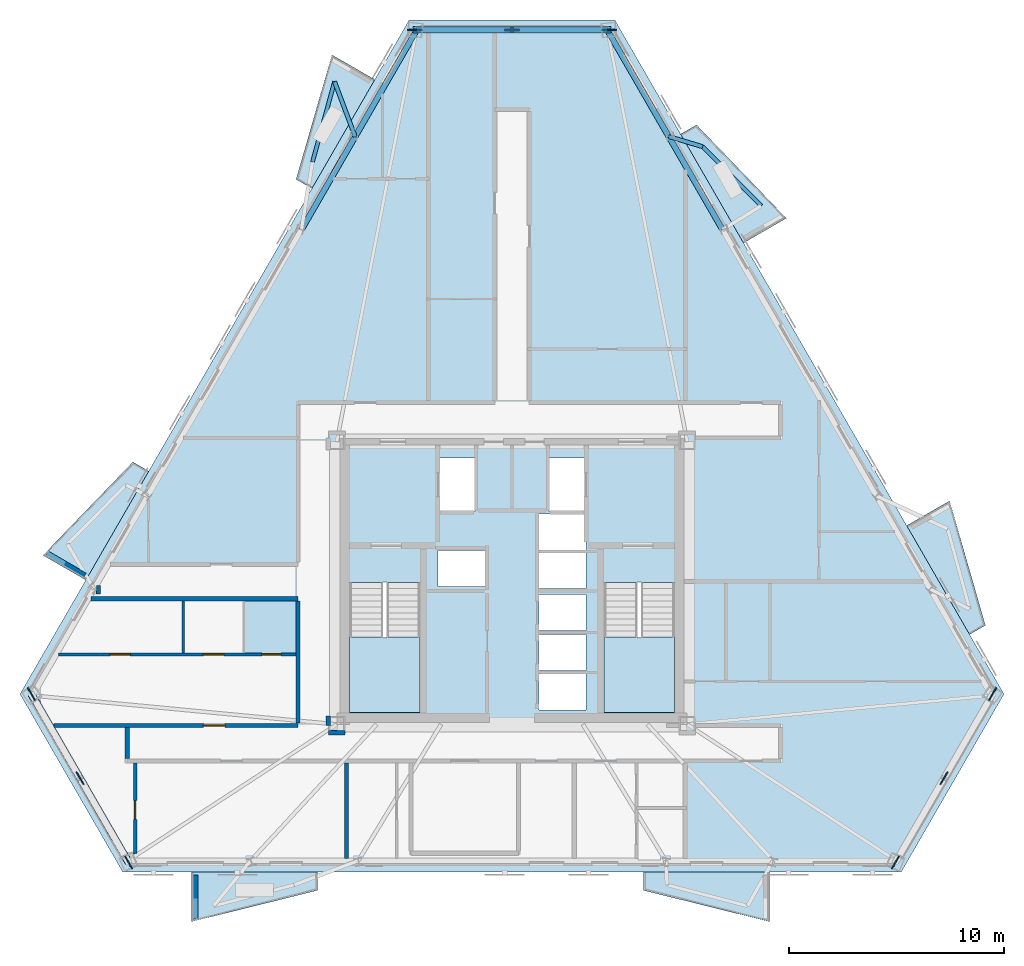
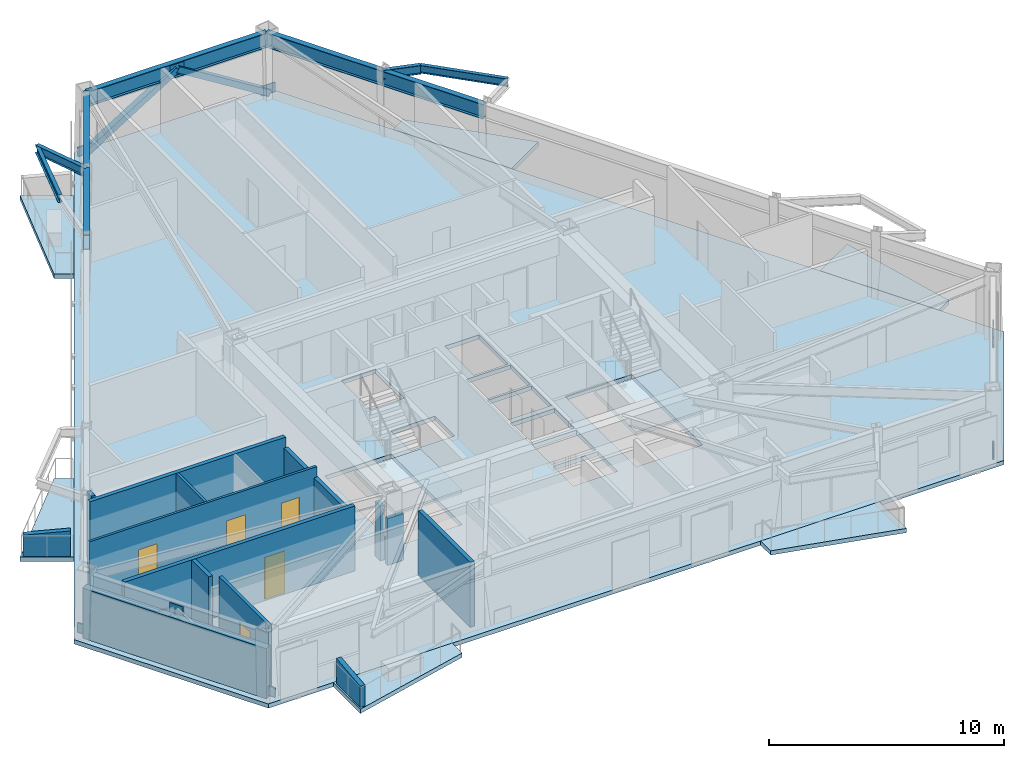
# One storey, part 2 of 9: 14 walls, 9 beams, 9 plates, 9 slabs, 5 doors, 2 members, 5 openings, 2 elements without a shape of their own.
"""IFC4 building model written with IfcOpenShell, lengths in metres."""

from ifc_helpers import new_model, si_unit, direction, frame, frame_2d, origin, origin_2d, place, context, subcontext, project, spatial, polyline, rectangle, hollow_rectangle, i_section, outline, extrude, material, layer, layer_set, material_profile, profile_set, type_object, element, fill, aggregate, save


model = new_model("IFC4")

# Units and contexts
model_context = context("Model", 3, precision=1e-05, world=origin(), true_north=direction((0.0, 1.0)))
body_context = subcontext(model_context, "Body", "Model", "MODEL_VIEW")
ifc_project = project(units=[si_unit("LENGTHUNIT", "METRE"), si_unit("AREAUNIT", "SQUARE_METRE"), si_unit("VOLUMEUNIT", "CUBIC_METRE"), si_unit("PLANEANGLEUNIT", "RADIAN"), si_unit("MASSUNIT", "GRAM", prefix="KILO")], contexts=[model_context])

# Site, building, storey
site_placement = place(None, origin())
site = spatial("IfcSite", under=ifc_project, at=site_placement, CompositionType="ELEMENT")
building_placement = place(site_placement, origin())
building = spatial("IfcBuilding", under=site, at=building_placement, Name="Oramaril Tower", CompositionType="ELEMENT")
storey_placement = place(building_placement, frame((0.0, 0.0, 160.199951171875)))
storey = spatial("IfcBuildingStorey", under=building, at=storey_placement, Name="L42", CompositionType="ELEMENT", Elevation=160.199951171875)

# Beams
ifc_material_1 = material(Name="Steel ASTM A572 Gr 50", Category="steel")
ifc_material_profile_1 = material_profile(ifc_material_1, i_section(OverallWidth=0.19091796875, OverallDepth=0.45703125, WebThickness=0.009033203125, FlangeThickness=0.014404296875, at=origin_2d()), Name="W18X50")
ifc_profile_set_1 = profile_set([ifc_material_profile_1], Name="Steel ASTM A572 Gr 50")
beam_type_1 = type_object("IfcBeamType", Name="BT-BB1", PredefinedType="BEAM", material=ifc_profile_set_1)
beam_1_placement = place(storey_placement, frame((44.794189453125, 38.342041015625, 3.151611328125), z_axis=(0.958128393165, -0.286338928913, 0.0), x_axis=(0.286338928913, 0.958128393165, 0.0)))
element("IfcBeam", 1, at=beam_1_placement, inside=storey, type_object=beam_type_1, Name="L42 Balcony Column-Framed Cantilever 04.2", PredefinedType="BEAM", context=body_context, shape_type="SweptSolid", body=[
    extrude(i_section(OverallWidth=0.19091796875, OverallDepth=0.45703125, WebThickness=0.009033203125, FlangeThickness=0.014404296875, at=origin_2d()), origin(), (0.0, 0.0, 1.0), 1.64306640625),
])
beam_2_placement = place(storey_placement, frame((30.205810546875, 38.342041015625, 3.151611328125), z_axis=(-0.352065017584, 0.935975546365, 0.0), x_axis=(-0.935975546365, -0.352065017584, 0.0)))
element("IfcBeam", 2, at=beam_2_placement, inside=storey, type_object=beam_type_1, Name="L42 Balcony Column-Framed Cantilever 05.1", PredefinedType="BEAM", context=body_context, shape_type="SweptSolid", body=[
    extrude(i_section(OverallWidth=0.19091796875, OverallDepth=0.45703125, WebThickness=0.009033203125, FlangeThickness=0.014404296875, at=origin_2d()), origin(), (0.0, 0.0, 1.0), 2.727294921875),
])
ifc_material_2 = material(Name="Steel ASTM A572 Gr 50", Category="steel")
ifc_material_profile_2 = material_profile(ifc_material_2, i_section(OverallWidth=0.177978515625, OverallDepth=0.404052734375, WebThickness=0.007568359375, FlangeThickness=0.010986328125, at=origin_2d()), Name="W16X36")
ifc_profile_set_2 = profile_set([ifc_material_profile_2], Name="Steel ASTM A572 Gr 50")
beam_type_2 = type_object("IfcBeamType", Name="BT-SB1", PredefinedType="BEAM", material=ifc_profile_set_2)
for number, where, z_axis, x_axis, name in (
    (3, (49.089111328125, 35.119140625, 3.177978515625), (-0.702994511648, 0.71119527318, 0.0), (-0.71119527318, -0.702994511648, 0.0), "L42 Balcony Edge Tie Beam 04"),
    (4, (29.24560546875, 40.894775390625, 3.177978515625), (-0.264440915482, -0.964401888332, 0.0), (0.964401888332, -0.264440915482, 0.0), "L42 Balcony Edge Tie Beam 05"),
):
    element("IfcBeam", number, at=place(storey_placement, frame(where, z_axis=z_axis, x_axis=x_axis)), inside=storey, type_object=beam_type_2, Name=name, PredefinedType="BEAM", context=body_context, shape_type="SweptSolid", body=[
        extrude(i_section(OverallWidth=0.177978515625, OverallDepth=0.404052734375, WebThickness=0.007568359375, FlangeThickness=0.010986328125, at=origin_2d()), origin(), (0.0, 0.0, 1.0), 3.8701171875),
    ])
ifc_material_3 = material(Name="Steel ASTM A572 Gr 50", Category="steel")
ifc_material_profile_3 = material_profile(ifc_material_3, i_section(OverallWidth=0.26708984375, OverallDepth=0.77001953125, WebThickness=0.015625, FlangeThickness=0.025390625, at=origin_2d()), Name="W30X132")
ifc_profile_set_3 = profile_set([ifc_material_profile_3], Name="Steel ASTM A572 Gr 50")
beam_type_3 = type_object("IfcBeamType", Name="BT-SP3", PredefinedType="SPANDREL", material=ifc_profile_set_3)
beam_3_placement = place(storey_placement, frame((47.2958984375, 34.009033203125, 2.9951171875), z_axis=(-0.500006859004, 0.866021443701, 0.0), x_axis=(-0.866021443701, -0.500006859004, 0.0)))
element("IfcBeam", 5, at=beam_3_placement, inside=storey, type_object=beam_type_3, Name="L42 Perimeter Spandrel 11", PredefinedType="SPANDREL", context=body_context, shape_type="SweptSolid", body=[
    extrude(i_section(OverallWidth=0.26708984375, OverallDepth=0.77001953125, WebThickness=0.015625, FlangeThickness=0.025390625, at=origin_2d()), origin(), (0.0, 0.0, 1.0), 5.00341796875),
])
beam_4_placement = place(storey_placement, frame((44.794189453125, 38.342041015625, 2.9951171875), z_axis=(-0.499987334491, 0.866032716096, 0.0), x_axis=(-0.866032716096, -0.499987334491, 0.0)))
element("IfcBeam", 6, at=beam_4_placement, inside=storey, type_object=beam_type_3, Name="L42 Perimeter Spandrel 12", PredefinedType="SPANDREL", context=body_context, shape_type="SweptSolid", body=[
    extrude(i_section(OverallWidth=0.26708984375, OverallDepth=0.77001953125, WebThickness=0.015625, FlangeThickness=0.025390625, at=origin_2d()), origin(), (0.0, 0.0, 1.0), 5.718017578125),
])
beam_5_placement = place(storey_placement, frame((41.935302734375, 43.2939453125, 2.9951171875), z_axis=(-1.0, 0.0, 0.0), x_axis=(0.0, -1.0, 0.0)))
element("IfcBeam", 7, at=beam_5_placement, inside=storey, type_object=beam_type_3, Name="L42 Perimeter Spandrel 13", PredefinedType="SPANDREL", context=body_context, shape_type="SweptSolid", body=[
    extrude(i_section(OverallWidth=0.26708984375, OverallDepth=0.77001953125, WebThickness=0.015625, FlangeThickness=0.025390625, at=origin_2d()), origin(), (0.0, 0.0, 1.0), 8.87060546875),
])
beam_6_placement = place(storey_placement, frame((33.064697265625, 43.2939453125, 2.9951171875), z_axis=(-0.499987334491, -0.866032716096, 0.0), x_axis=(0.866032716096, -0.499987334491, 0.0)))
element("IfcBeam", 8, at=beam_6_placement, inside=storey, type_object=beam_type_3, Name="L42 Perimeter Spandrel 14", PredefinedType="SPANDREL", context=body_context, shape_type="SweptSolid", body=[
    extrude(i_section(OverallWidth=0.26708984375, OverallDepth=0.77001953125, WebThickness=0.015625, FlangeThickness=0.025390625, at=origin_2d()), origin(), (0.0, 0.0, 1.0), 5.718017578125),
])
beam_7_placement = place(storey_placement, frame((30.205810546875, 38.342041015625, 2.9951171875), z_axis=(-0.500006859004, -0.866021443701, 0.0), x_axis=(0.866021443701, -0.500006859004, 0.0)))
element("IfcBeam", 9, at=beam_7_placement, inside=storey, type_object=beam_type_3, Name="L42 Perimeter Spandrel 15", PredefinedType="SPANDREL", context=body_context, shape_type="SweptSolid", body=[
    extrude(i_section(OverallWidth=0.26708984375, OverallDepth=0.77001953125, WebThickness=0.015625, FlangeThickness=0.025390625, at=origin_2d()), origin(), (0.0, 0.0, 1.0), 5.00341796875),
])

# Members
ifc_material_4 = material(Name="Steel ASTM A572 Gr 50", Category="steel")
ifc_material_profile_4 = material_profile(ifc_material_4, hollow_rectangle(XDim=0.300048828125, YDim=0.300048828125, WallThickness=0.01611328125, at=origin_2d()), Name="HSS300X300X16")
ifc_profile_set_4 = profile_set([ifc_material_profile_4], Name="Steel ASTM A572 Gr 50")
member_type = type_object("IfcMemberType", Name="MT-KB2", PredefinedType="BRACE", material=ifc_profile_set_4)
for number, where, z_axis, x_axis, name in (
    (10, (42.016845703125, 43.303466796875, 0.179931640625), (-0.84865993713, 0.0, 0.528938853848), (0.0, -1.0, 0.0), "L42 Perimeter Chevron Brace KB-3A"),
    (11, (32.983154296875, 43.303466796875, 0.179931640625), (0.84865993713, 0.0, 0.528938853848), (0.0, 1.0, 0.0), "L42 Perimeter Chevron Brace KB-3B"),
):
    element("IfcMember", number, at=place(storey_placement, frame(where, z_axis=z_axis, x_axis=x_axis)), inside=storey, type_object=member_type, Name=name, PredefinedType="BRACE", context=body_context, shape_type="SweptSolid", body=[
        extrude(hollow_rectangle(XDim=0.300048828125, YDim=0.300048828125, WallThickness=0.01611328125, at=origin_2d()), origin(), (0.0, 0.0, 1.0), 5.322265625),
    ])

# Plates
ifc_material_5 = material(Name="Steel ASTM A572 Gr 50", Category="steel")
ifc_layer_1 = layer(ifc_material_5, 0.06005859375)
ifc_layer_set_1 = layer_set([ifc_layer_1], Name="PLT-G60")
plate_type = type_object("IfcPlateType", Name="PLT-G60", PredefinedType="USERDEFINED", material=ifc_layer_set_1)
for number, where, z_axis, x_axis, name in (
    (12, (17.4052734375, 8.498291015625, 2.755126953125), (0.0, 0.0, 1.0), (0.500001511499, -0.866024531118, 0.0), "L42 Chevron Brace Gusset Plate BN-1"),
    (13, (15.14697265625, 12.409912109375, 0.10009765625), (0.0, 0.0, 1.0), (0.500001511499, -0.866024531118, 0.0), "L42 Chevron Brace Gusset Plate BN-1"),
    (14, (19.663818359375, 4.586669921875, 0.10009765625), (0.0, 0.0, 1.0), (0.500001511499, -0.866024531118, 0.0), "L42 Chevron Brace Gusset Plate BN-1"),
    (15, (57.5947265625, 8.498291015625, 2.755126953125), (0.0, 0.0, 1.0), (0.500001511499, 0.866024531118, 0.0), "L42 Chevron Brace Gusset Plate BN-1"),
    (16, (55.336181640625, 4.586669921875, 0.10009765625), (0.0, 0.0, 1.0), (0.500001511499, 0.866024531118, 0.0), "L42 Chevron Brace Gusset Plate BN-1"),
    (17, (59.85302734375, 12.409912109375, 0.10009765625), (0.0, 0.0, 1.0), (0.500001511499, 0.866024531118, 0.0), "L42 Chevron Brace Gusset Plate BN-1"),
    (18, (37.5, 43.303466796875, 2.755126953125), (0.0, 0.0, 1.0), (-1.0, 0.0, 0.0), "L42 Chevron Brace Gusset Plate BN-1"),
    (19, (42.016845703125, 43.303466796875, 0.10009765625), (0.0, 0.0, 1.0), (-1.0, 0.0, 0.0), "L42 Chevron Brace Gusset Plate BN-1"),
    (20, (32.983154296875, 43.303466796875, 0.10009765625), (0.0, 0.0, 1.0), (-1.0, 0.0, 0.0), "L42 Chevron Brace Gusset Plate BN-1"),
):
    element("IfcPlate", number, at=place(storey_placement, frame(where, z_axis=z_axis, x_axis=x_axis)), inside=storey, type_object=plate_type, Name=name, ObjectType="GUSSET", PredefinedType="USERDEFINED", context=body_context, shape_type="SweptSolid", body=[
        extrude(rectangle(XDim=0.679931640625, YDim=0.06005859375, at=origin_2d()), origin(), (0.0, 0.0, 1.0), 0.47998046875),
    ])

# Slabs
ifc_material_6 = material(Name="Concrete C40/50", Category="concrete")
ifc_layer_2 = layer(ifc_material_6, 0.199951171875)
ifc_layer_set_2 = layer_set([ifc_layer_2], Name="SLT-BAL20")
slab_type_1 = type_object("IfcSlabType", Name="SLT-BAL20", PredefinedType="FLOOR", material=ifc_layer_set_2)
slab_1_placement = place(storey_placement, frame((0.0, 0.0, -0.219970703125)))
element("IfcSlab", 21, at=slab_1_placement, inside=storey, type_object=slab_type_1, Name="L42 Cantilevered Balcony Slab L42-BAL-S2", PredefinedType="FLOOR", context=body_context, shape_type="SweptSolid", body=[
    extrude(outline(polyline([(43.626953125, 4.128662109375), (49.476806640625, 4.128662109375), (49.476806640625, 1.82666015625), (43.626953125, 3.276611328125), (43.626953125, 4.128662109375)])), origin(), (0.0, 0.0, 1.0), 0.219970703125),
])
slab_2_placement = place(storey_placement, frame((0.0, 0.0, -0.219970703125)))
element("IfcSlab", 22, at=slab_2_placement, inside=storey, type_object=slab_type_1, Name="L42 Cantilevered Balcony Slab L42-BAL-NE1", PredefinedType="FLOOR", context=body_context, shape_type="SweptSolid", body=[
    extrude(outline(polyline([(58.78271484375, 15.180419921875), (55.857666015625, 20.24658203125), (57.851318359375, 21.3974609375), (59.5205078125, 15.606201171875), (58.78271484375, 15.180419921875)])), origin(), (0.0, 0.0, 1.0), 0.219970703125),
])
slab_3_placement = place(storey_placement, frame((0.0, 0.0, -0.219970703125)))
element("IfcSlab", 23, at=slab_3_placement, inside=storey, type_object=slab_type_1, Name="L42 Cantilevered Balcony Slab L42-BAL-NW2", PredefinedType="FLOOR", context=body_context, shape_type="SweptSolid", body=[
    extrude(outline(polyline([(20.60498046875, 22.77978515625), (17.679931640625, 17.71337890625), (15.686279296875, 18.864501953125), (19.8671875, 23.205810546875), (20.60498046875, 22.77978515625)])), origin(), (0.0, 0.0, 1.0), 0.219970703125),
])
ifc_material_7 = material(Name="Concrete C50/60", Category="concrete")
ifc_layer_3 = layer(ifc_material_7, 0.219970703125)
ifc_layer_set_3 = layer_set([ifc_layer_3], Name="SLT-FLR22")
slab_type_2 = type_object("IfcSlabType", Name="SLT-FLR22", PredefinedType="FLOOR", material=ifc_layer_set_3)
slab_4_placement = place(storey_placement, frame((0.0, 0.0, -0.219970703125)))
element("IfcSlab", 24, at=slab_4_placement, inside=storey, type_object=slab_type_2, Name="L42 Structural Floor Slab", PredefinedType="FLOOR", context=body_context, shape_type="SweptSolid", body=[
    extrude(outline(polyline([(14.61572265625, 12.409912109375), (19.398193359375, 4.126708984375), (55.601806640625, 4.126708984375), (60.38427734375, 12.409912109375), (42.282470703125, 43.763427734375), (32.717529296875, 43.763427734375), (14.61572265625, 12.409912109375)]), holes=[polyline([(29.949951171875, 17.58935546875), (29.949951171875, 11.550048828125), (33.219970703125, 11.550048828125), (33.219970703125, 17.58935546875), (29.949951171875, 17.58935546875)]), polyline([(41.780029296875, 17.58935546875), (41.780029296875, 11.550048828125), (45.050048828125, 11.550048828125), (45.050048828125, 17.58935546875), (41.780029296875, 17.58935546875)]), polyline([(34.110107421875, 20.909912109375), (35.7900390625, 20.909912109375), (35.7900390625, 23.389892578125), (34.110107421875, 23.389892578125), (34.110107421875, 20.909912109375)]), polyline([(39.2099609375, 20.909912109375), (40.889892578125, 20.909912109375), (40.889892578125, 23.389892578125), (39.2099609375, 23.389892578125), (39.2099609375, 20.909912109375)]), polyline([(38.760009765625, 11.659912109375), (40.93994140625, 11.659912109375), (40.93994140625, 13.340087890625), (38.760009765625, 13.340087890625), (38.760009765625, 11.659912109375)]), polyline([(38.760009765625, 13.510009765625), (40.93994140625, 13.510009765625), (40.93994140625, 15.18994140625), (38.760009765625, 15.18994140625), (38.760009765625, 13.510009765625)]), polyline([(38.760009765625, 15.360107421875), (40.93994140625, 15.360107421875), (40.93994140625, 17.0400390625), (38.760009765625, 17.0400390625), (38.760009765625, 15.360107421875)]), polyline([(34.06005859375, 17.409912109375), (36.239990234375, 17.409912109375), (36.239990234375, 19.090087890625), (34.06005859375, 19.090087890625), (34.06005859375, 17.409912109375)]), polyline([(38.760009765625, 17.31005859375), (40.93994140625, 17.31005859375), (40.93994140625, 18.989990234375), (38.760009765625, 18.989990234375), (38.760009765625, 17.31005859375)]), polyline([(38.760009765625, 19.110107421875), (40.93994140625, 19.110107421875), (40.93994140625, 20.7900390625), (38.760009765625, 20.7900390625), (38.760009765625, 19.110107421875)])]), origin(), (0.0, 0.0, 1.0), 0.219970703125),
])

# Stair, slab
ifc_material_8 = material(Name="Concrete C50/60", Category="concrete")
stair_type = type_object("IfcStairType", Name="STT-DG-3600", PredefinedType="HALF_TURN_STAIR", material=ifc_material_8)
stair_1_placement = place(storey_placement, origin())
stair_1 = element("IfcStair", 25, at=stair_1_placement, inside=storey, type_object=stair_type, Name="L42 Protected PFP Exit Stair ST-1", PredefinedType="HALF_TURN_STAIR")
ifc_material_9 = material(Name="Concrete C50/60", Category="concrete")
ifc_layer_4 = layer(ifc_material_9, 0.199951171875)
ifc_layer_set_4 = layer_set([ifc_layer_4], Name="SLT-LND20")
slab_type_3 = type_object("IfcSlabType", Name="SLT-LND20", PredefinedType="LANDING", material=ifc_layer_set_4)
slab_5_placement = place(storey_placement, frame((0.0, 0.0, 1.60009765625)))
slab_5 = element("IfcSlab", 26, at=slab_5_placement, type_object=slab_type_3, Name="ST-1 landing 1", PredefinedType="LANDING", context=body_context, shape_type="SweptSolid", body=[
    extrude(outline(polyline([(29.949951171875, 15.070068359375), (29.949951171875, 11.550048828125), (33.219970703125, 11.550048828125), (33.219970703125, 15.070068359375), (29.949951171875, 15.070068359375)])), origin(), (0.0, 0.0, 1.0), 0.199951171875),
])
aggregate(stair_1, [slab_5])

stair_2_placement = place(storey_placement, origin())
stair_2 = element("IfcStair", 27, at=stair_2_placement, inside=storey, type_object=stair_type, Name="L42 Protected PFP Exit Stair ST-2", PredefinedType="HALF_TURN_STAIR")
slab_6_placement = place(storey_placement, frame((0.0, 0.0, 1.60009765625)))
slab_6 = element("IfcSlab", 28, at=slab_6_placement, type_object=slab_type_3, Name="ST-2 landing 1", PredefinedType="LANDING", context=body_context, shape_type="SweptSolid", body=[
    extrude(outline(polyline([(41.780029296875, 15.070068359375), (41.780029296875, 11.550048828125), (45.050048828125, 11.550048828125), (45.050048828125, 15.070068359375), (41.780029296875, 15.070068359375)])), origin(), (0.0, 0.0, 1.0), 0.199951171875),
])
aggregate(stair_2, [slab_6])

# Slabs
ifc_material_10 = material(Name="Concrete C40/50", Category="concrete")
ifc_layer_5 = layer(ifc_material_10, 0.18994140625)
ifc_layer_set_5 = layer_set([ifc_layer_5], Name="SLT-PLN19")
slab_type_4 = type_object("IfcSlabType", Name="SLT-PLN19", PredefinedType="FLOOR", material=ifc_layer_set_5)
slab_7_placement = place(storey_placement, frame((0.0, 0.0, -0.219970703125)))
element("IfcSlab", 29, at=slab_7_placement, inside=storey, type_object=slab_type_4, Name="L42 Tree Planter Balcony Slab L42-BAL-S1", PredefinedType="FLOOR", context=body_context, shape_type="SweptSolid", body=[
    extrude(outline(polyline([(22.59814453125, 4.128662109375), (28.447998046875, 4.128662109375), (28.447998046875, 3.276611328125), (22.59814453125, 1.82666015625), (22.59814453125, 4.128662109375)])), origin(), (0.0, 0.0, 1.0), 0.219970703125),
])
slab_8_placement = place(storey_placement, frame((0.0, 0.0, -0.219970703125)))
element("IfcSlab", 30, at=slab_8_placement, inside=storey, type_object=slab_type_4, Name="L42 Tree Planter Balcony Slab L42-BAL-NE2", PredefinedType="FLOOR", context=body_context, shape_type="SweptSolid", body=[
    extrude(outline(polyline([(48.268310546875, 33.3916015625), (45.34326171875, 38.4580078125), (46.0810546875, 38.884033203125), (50.26171875, 34.542724609375), (48.268310546875, 33.3916015625)])), origin(), (0.0, 0.0, 1.0), 0.219970703125),
])
slab_9_placement = place(storey_placement, frame((0.0, 0.0, -0.219970703125)))
element("IfcSlab", 31, at=slab_9_placement, inside=storey, type_object=slab_type_4, Name="L42 Tree Planter Balcony Slab L42-BAL-NW1", PredefinedType="FLOOR", context=body_context, shape_type="SweptSolid", body=[
    extrude(outline(polyline([(31.119384765625, 40.9912109375), (28.1943359375, 35.9248046875), (27.45654296875, 36.350830078125), (29.125732421875, 42.14208984375), (31.119384765625, 40.9912109375)])), origin(), (0.0, 0.0, 1.0), 0.219970703125),
])

# Walls
ifc_material_11 = material(Name="Warm Cream Limestone", Category="masonry")
ifc_layer_6 = layer(ifc_material_11, 0.340087890625)
ifc_layer_set_6 = layer_set([ifc_layer_6], Name="WT-EXT34")
wall_type_1 = type_object("IfcWallType", Name="WT-EXT34", PredefinedType="SOLIDWALL", material=ifc_layer_set_6)
wall_1_placement = place(storey_placement, frame((15.14697265625, 12.409912109375, 0.0), z_axis=(0.0, 0.0, 1.0), x_axis=(0.500007864018, -0.866020863444, 0.0)))
element("IfcWall", 32, at=wall_1_placement, inside=storey, type_object=wall_type_1, Name="L42 Tower Limestone Facade Wall 1M", PredefinedType="SOLIDWALL", context=body_context, shape_type="SweptSolid", body=[
    extrude(rectangle(XDim=9.033447265625, YDim=0.340087890625, at=frame_2d((4.5166015625, 0.0))), origin(), (0.0, 0.0, 1.0), 2.60009765625),
])
ifc_material_12 = material(Name="Concrete C40/50", Category="concrete")
ifc_layer_7 = layer(ifc_material_12, 0.22998046875)
ifc_layer_set_7 = layer_set([ifc_layer_7], Name="WT-PRP23")
wall_type_2 = type_object("IfcWallType", Name="WT-PRP23", PredefinedType="PARAPET", material=ifc_layer_set_7)
for number, where, z_axis, x_axis, name in (
    (33, (22.778076171875, 3.98876953125, 0.0), (0.0, 0.0, 1.0), (0.0, -1.0, 0.0), "L42 Trapezoidal Balcony Frame Cheek L42-BAL-S1-L"),
    (34, (17.648681640625, 17.939208984375, 0.0), (0.0, 0.0, 1.0), (-0.866012356593, 0.500022597718, 0.0), "L42 Trapezoidal Balcony Frame Cheek L42-BAL-NW2-R"),
):
    element("IfcWall", number, at=place(storey_placement, frame(where, z_axis=z_axis, x_axis=x_axis)), inside=storey, type_object=wall_type_2, Name=name, PredefinedType="PARAPET", context=body_context, shape_type="SweptSolid", body=[
        extrude(outline(polyline([(0.0, 0.0), (2.0419921875, 0.0), (2.0419921875, 1.10009765625), (0.0, 1.320068359375), (0.0, 0.0)])), frame((0.0, 0.114990234375, 0.0), z_axis=(0.0, -1.0, 0.0), x_axis=(1.0, 0.0, 0.0)), (0.0, 0.0, 1.0), 0.22998046875),
    ])

# Wall, openings, doors
ifc_material_13 = material(Name="Acoustic Gypsum Board Partition")
ifc_layer_8 = layer(ifc_material_13, 0.1201171875)
ifc_layer_set_8 = layer_set([ifc_layer_8], Name="WT-PT12")
wall_type_3 = type_object("IfcWallType", Name="WT-PT12", PredefinedType="PARTITIONING", material=ifc_layer_set_8)
wall_2_placement = place(storey_placement, frame((16.41015625, 14.25, 0.0), z_axis=(0.0, 0.0, 1.0), x_axis=(1.0, 0.0, 0.0)))
wall_2 = element("IfcWall", 35, at=wall_2_placement, inside=storey, type_object=wall_type_3, Name="L42 Interior Partition PT-12", PredefinedType="PARTITIONING", context=body_context, shape_type="SweptSolid", body=[
    extrude(rectangle(XDim=11.18994140625, YDim=0.1201171875, at=frame_2d((5.594970703125, 0.0))), origin(), (0.0, 0.0, 1.0), 3.380126953125),
])
opening_1_placement = place(wall_2_placement, frame((2.410888671875, 0.0, 0.0)))
opening_1 = element("IfcOpeningElement", 36, at=opening_1_placement, cuts=wall_2, Name="Opening D-L42-10", PredefinedType="OPENING", context=body_context, shape_type="SweptSolid", body=[
    extrude(rectangle(XDim=0.919921875, YDim=2.1201171875, at=frame_2d((0.4599609375, 1.06005859375))), frame((0.0, 0.06005859375, 0.0), z_axis=(0.0, -1.0, 0.0), x_axis=(1.0, 0.0, 0.0)), (0.0, 0.0, 1.0), 0.1201171875),
])
opening_2_placement = place(wall_2_placement, frame((6.7333984375, 0.0, 0.0)))
opening_2 = element("IfcOpeningElement", 37, at=opening_2_placement, cuts=wall_2, Name="Opening D-L42-11", PredefinedType="OPENING", context=body_context, shape_type="SweptSolid", body=[
    extrude(rectangle(XDim=0.949951171875, YDim=2.10009765625, at=frame_2d((0.47509765625, 1.050048828125))), frame((0.0, 0.06005859375, 0.0), z_axis=(0.0, -1.0, 0.0), x_axis=(1.0, 0.0, 0.0)), (0.0, 0.0, 1.0), 0.1201171875),
])
opening_3_placement = place(wall_2_placement, frame((9.454833984375, 0.0, 0.0)))
opening_3 = element("IfcOpeningElement", 38, at=opening_3_placement, cuts=wall_2, Name="Opening D-L42-12", PredefinedType="OPENING", context=body_context, shape_type="SweptSolid", body=[
    extrude(rectangle(XDim=0.8798828125, YDim=2.080078125, at=frame_2d((0.43994140625, 1.0400390625))), frame((0.0, 0.06005859375, 0.0), z_axis=(0.0, -1.0, 0.0), x_axis=(1.0, 0.0, 0.0)), (0.0, 0.0, 1.0), 0.1201171875),
])
ifc_material_14 = material(Name="FSC Brazilian Freijo Hardwood", Category="wood")
door_type_1 = type_object("IfcDoorType", Name="DT-BATH", OperationType="NOTDEFINED", PredefinedType="DOOR", material=ifc_material_14)
door_1_placement = place(opening_3_placement, origin())
door_1 = element("IfcDoor", 39, at=door_1_placement, inside=storey, type_object=door_type_1, Name="L42 Flat L42-U4 Bathroom Door D-L42-12", OperationType="SINGLE_SWING_RIGHT", OverallHeight=2.080078125, OverallWidth=0.8798828125, PredefinedType="DOOR", context=body_context, shape_type="SweptSolid", body=[
    extrude(rectangle(XDim=0.8798828125, YDim=2.080078125, at=frame_2d((0.43994140625, 1.0400390625))), frame((0.0, 0.02490234375, 0.0), z_axis=(0.0, -1.0, 0.0), x_axis=(1.0, 0.0, 0.0)), (0.0, 0.0, 1.0), 0.050048828125),
])
fill(opening_3, door_1)
ifc_material_15 = material(Name="FSC Brazilian Freijo Hardwood", Category="wood")
door_type_2 = type_object("IfcDoorType", Name="DT-BED", OperationType="NOTDEFINED", PredefinedType="DOOR", material=ifc_material_15)
door_2_placement = place(opening_1_placement, origin())
door_2 = element("IfcDoor", 40, at=door_2_placement, inside=storey, type_object=door_type_2, Name="L42 Flat L42-U4 Master Bedroom Door D-L42-10", OperationType="SINGLE_SWING_RIGHT", OverallHeight=2.1201171875, OverallWidth=0.919921875, PredefinedType="DOOR", context=body_context, shape_type="SweptSolid", body=[
    extrude(rectangle(XDim=0.919921875, YDim=2.1201171875, at=frame_2d((0.4599609375, 1.06005859375))), frame((0.0, 0.02490234375, 0.0), z_axis=(0.0, -1.0, 0.0), x_axis=(1.0, 0.0, 0.0)), (0.0, 0.0, 1.0), 0.050048828125),
])
fill(opening_1, door_2)
ifc_material_16 = material(Name="FSC Brazilian Freijo Hardwood", Category="wood")
door_type_3 = type_object("IfcDoorType", Name="DT-STDY", OperationType="NOTDEFINED", PredefinedType="DOOR", material=ifc_material_16)
door_3_placement = place(opening_2_placement, origin())
door_3 = element("IfcDoor", 41, at=door_3_placement, inside=storey, type_object=door_type_3, Name="L42 Flat L42-U4 Kitchen Door D-L42-11", OperationType="SINGLE_SWING_LEFT", OverallHeight=2.10009765625, OverallWidth=0.949951171875, PredefinedType="DOOR", context=body_context, shape_type="SweptSolid", body=[
    extrude(rectangle(XDim=0.949951171875, YDim=2.10009765625, at=frame_2d((0.47509765625, 1.050048828125))), frame((0.0, 0.02490234375, 0.0), z_axis=(0.0, -1.0, 0.0), x_axis=(1.0, 0.0, 0.0)), (0.0, 0.0, 1.0), 0.050048828125),
])
fill(opening_2, door_3)

# Wall
wall_3_placement = place(storey_placement, frame((22.2099609375, 14.31396484375, 0.0), z_axis=(0.0, 0.0, 1.0), x_axis=(0.0, 1.0, 0.0)))
element("IfcWall", 42, at=wall_3_placement, inside=storey, type_object=wall_type_3, Name="L42 Interior Partition PT-12", PredefinedType="PARTITIONING", context=body_context, shape_type="SweptSolid", body=[
    extrude(rectangle(XDim=2.43212890625, YDim=0.1201171875, at=frame_2d((1.216064453125, 0.0))), origin(), (0.0, 0.0, 1.0), 3.380126953125),
])

# Wall, opening, door
ifc_material_17 = material(Name="Acoustic Gypsum Board Partition")
ifc_layer_9 = layer(ifc_material_17, 0.159912109375)
ifc_layer_set_9 = layer_set([ifc_layer_9], Name="WT-PT16")
wall_type_4 = type_object("IfcWallType", Name="WT-PT16", PredefinedType="PARTITIONING", material=ifc_layer_set_9)
wall_4_placement = place(storey_placement, frame((19.97998046875, 4.9892578125, 0.0), z_axis=(0.0, 0.0, 1.0), x_axis=(0.0, 1.0, 0.0)))
wall_4 = element("IfcWall", 43, at=wall_4_placement, inside=storey, type_object=wall_type_4, Name="L42 Interior Partition PT-16", PredefinedType="PARTITIONING", context=body_context, shape_type="SweptSolid", body=[
    extrude(rectangle(XDim=4.206787109375, YDim=0.159912109375, at=frame_2d((2.103515625, 0.0))), origin(), (0.0, 0.0, 1.0), 3.380126953125),
])
opening_4_placement = place(wall_4_placement, frame((1.589111328125, 0.0, 0.0)))
opening_4 = element("IfcOpeningElement", 44, at=opening_4_placement, cuts=wall_4, Name="Opening D-L42-20", PredefinedType="OPENING", context=body_context, shape_type="SweptSolid", body=[
    extrude(rectangle(XDim=0.8798828125, YDim=2.080078125, at=frame_2d((0.43994140625, 1.0400390625))), frame((0.0, 0.080078125, 0.0), z_axis=(0.0, -1.0, 0.0), x_axis=(1.0, 0.0, 0.0)), (0.0, 0.0, 1.0), 0.159912109375),
])
door_4_placement = place(opening_4_placement, origin())
door_4 = element("IfcDoor", 45, at=door_4_placement, inside=storey, type_object=door_type_1, Name="L42 Flat L42-U1 Bathroom Door D-L42-20", OperationType="SINGLE_SWING_RIGHT", OverallHeight=2.080078125, OverallWidth=0.8798828125, PredefinedType="DOOR", context=body_context, shape_type="SweptSolid", body=[
    extrude(rectangle(XDim=0.8798828125, YDim=2.080078125, at=frame_2d((0.43994140625, 1.0400390625))), frame((0.0, 0.02490234375, 0.0), z_axis=(0.0, -1.0, 0.0), x_axis=(1.0, 0.0, 0.0)), (0.0, 0.0, 1.0), 0.050048828125),
])
fill(opening_4, door_4)

# Wall
ifc_material_18 = material(Name="Autoclaved Cellular Concrete Block", Category="concrete")
ifc_layer_10 = layer(ifc_material_18, 0.199951171875)
ifc_layer_set_10 = layer_set([ifc_layer_10], Name="WT-PT20")
wall_type_5 = type_object("IfcWallType", Name="WT-PT20", PredefinedType="PARTITIONING", material=ifc_layer_set_10)
wall_5_placement = place(storey_placement, frame((28.9599609375, 10.610107421875, 0.0), z_axis=(0.0, 0.0, 1.0), x_axis=(1.0, 0.0, 0.0)))
element("IfcWall", 46, at=wall_5_placement, inside=storey, type_object=wall_type_5, Name="L42 Interior Partition PT-20", PredefinedType="PARTITIONING", context=body_context, shape_type="SweptSolid", body=[
    extrude(rectangle(XDim=0.780029296875, YDim=0.199951171875, at=frame_2d((0.39013671875, 0.0))), origin(), (0.0, 0.0, 1.0), 2.420166015625),
])

# Wall, opening, door
wall_6_placement = place(storey_placement, frame((16.19091796875, 10.949951171875, 0.0), z_axis=(0.0, 0.0, 1.0), x_axis=(1.0, 0.0, 0.0)))
wall_6 = element("IfcWall", 47, at=wall_6_placement, inside=storey, type_object=wall_type_5, Name="L42 Interior Partition PT-20", PredefinedType="PARTITIONING", context=body_context, shape_type="SweptSolid", body=[
    extrude(rectangle(XDim=11.359130859375, YDim=0.199951171875, at=frame_2d((5.6796875, 0.0))), origin(), (0.0, 0.0, 1.0), 3.380126953125),
])
opening_5_placement = place(wall_6_placement, frame((6.958251953125, 0.0, 0.0)))
opening_5 = element("IfcOpeningElement", 48, at=opening_5_placement, cuts=wall_6, Name="Opening D-L42-06", PredefinedType="OPENING", context=body_context, shape_type="SweptSolid", body=[
    extrude(rectangle(XDim=1.0, YDim=2.179931640625, at=frame_2d((0.5, 1.08984375))), frame((0.0, 0.10009765625, 0.0), z_axis=(0.0, -1.0, 0.0), x_axis=(1.0, 0.0, 0.0)), (0.0, 0.0, 1.0), 0.199951171875),
])
ifc_material_19 = material(Name="FSC Brazilian Freijo Hardwood", Category="wood")
door_type_4 = type_object("IfcDoorType", Name="DT-APT", OperationType="NOTDEFINED", PredefinedType="DOOR", material=ifc_material_19)
door_5_placement = place(opening_5_placement, origin())
door_5 = element("IfcDoor", 49, at=door_5_placement, inside=storey, type_object=door_type_4, Name="L42 Flat L42-U4 Living and Dining Room Door D-L42-06", OperationType="SINGLE_SWING_RIGHT", OverallHeight=2.179931640625, OverallWidth=1.0, PredefinedType="DOOR", context=body_context, shape_type="SweptSolid", body=[
    extrude(rectangle(XDim=1.0, YDim=2.179931640625, at=frame_2d((0.5, 1.08984375))), frame((0.0, 0.02490234375, 0.0), z_axis=(0.0, -1.0, 0.0), x_axis=(1.0, 0.0, 0.0)), (0.0, 0.0, 1.0), 0.050048828125),
])
fill(opening_5, door_5)

# Walls
wall_7_placement = place(storey_placement, frame((17.911376953125, 16.85009765625, 0.0), z_axis=(0.0, 0.0, 1.0), x_axis=(1.0, 0.0, 0.0)))
element("IfcWall", 50, at=wall_7_placement, inside=storey, type_object=wall_type_5, Name="L42 Interior Partition PT-20", PredefinedType="PARTITIONING", context=body_context, shape_type="SweptSolid", body=[
    extrude(rectangle(XDim=9.638671875, YDim=0.199951171875, at=frame_2d((4.8193359375, 0.0))), origin(), (0.0, 0.0, 1.0), 3.380126953125),
])
wall_8_placement = place(storey_placement, frame((18.27001953125, 17.076416015625, 0.0), z_axis=(0.0, 0.0, 1.0), x_axis=(0.0, 1.0, 0.0)))
element("IfcWall", 51, at=wall_8_placement, inside=storey, type_object=wall_type_5, Name="L42 Interior Partition PT-20", PredefinedType="PARTITIONING", context=body_context, shape_type="SweptSolid", body=[
    extrude(rectangle(XDim=0.39501953125, YDim=0.199951171875, at=frame_2d((0.197509765625, 0.0))), origin(), (0.0, 0.0, 1.0), 3.380126953125),
])
wall_9_placement = place(storey_placement, frame((19.60009765625, 9.404052734375, 0.0), z_axis=(0.0, 0.0, 1.0), x_axis=(0.0, 1.0, 0.0)))
element("IfcWall", 52, at=wall_9_placement, inside=storey, type_object=wall_type_5, Name="L42 Interior Partition PT-20", PredefinedType="PARTITIONING", context=body_context, shape_type="SweptSolid", body=[
    extrude(rectangle(XDim=1.44189453125, YDim=0.199951171875, at=frame_2d((0.720947265625, 0.0))), origin(), (0.0, 0.0, 1.0), 3.380126953125),
])
wall_10_placement = place(storey_placement, frame((27.550048828125, 11.053955078125, 0.0), z_axis=(0.0, 0.0, 1.0), x_axis=(0.0, 1.0, 0.0)))
element("IfcWall", 53, at=wall_10_placement, inside=storey, type_object=wall_type_5, Name="L42 Interior Partition PT-20", PredefinedType="PARTITIONING", context=body_context, shape_type="SweptSolid", body=[
    extrude(rectangle(XDim=5.692138671875, YDim=0.199951171875, at=frame_2d((2.84619140625, 0.0))), origin(), (0.0, 0.0, 1.0), 2.842041015625),
])
wall_11_placement = place(storey_placement, frame((28.949951171875, 10.949951171875, 0.0), z_axis=(0.0, 0.0, 1.0), x_axis=(0.0, 1.0, 0.0)))
element("IfcWall", 54, at=wall_11_placement, inside=storey, type_object=wall_type_5, Name="L42 Interior Partition PT-20", PredefinedType="PARTITIONING", context=body_context, shape_type="SweptSolid", body=[
    extrude(rectangle(XDim=0.445068359375, YDim=0.199951171875, at=frame_2d((0.22265625, 0.0))), origin(), (0.0, 0.0, 1.0), 2.842041015625),
])
wall_12_placement = place(storey_placement, frame((29.800048828125, 4.7607421875, 0.0), z_axis=(0.0, 0.0, 1.0), x_axis=(0.0, 1.0, 0.0)))
element("IfcWall", 55, at=wall_12_placement, inside=storey, type_object=wall_type_5, Name="L42 Interior Partition PT-20", PredefinedType="PARTITIONING", context=body_context, shape_type="SweptSolid", body=[
    extrude(rectangle(XDim=4.435302734375, YDim=0.199951171875, at=frame_2d((2.2177734375, 0.0))), origin(), (0.0, 0.0, 1.0), 3.380126953125),
])

save(model, "model.ifc")
